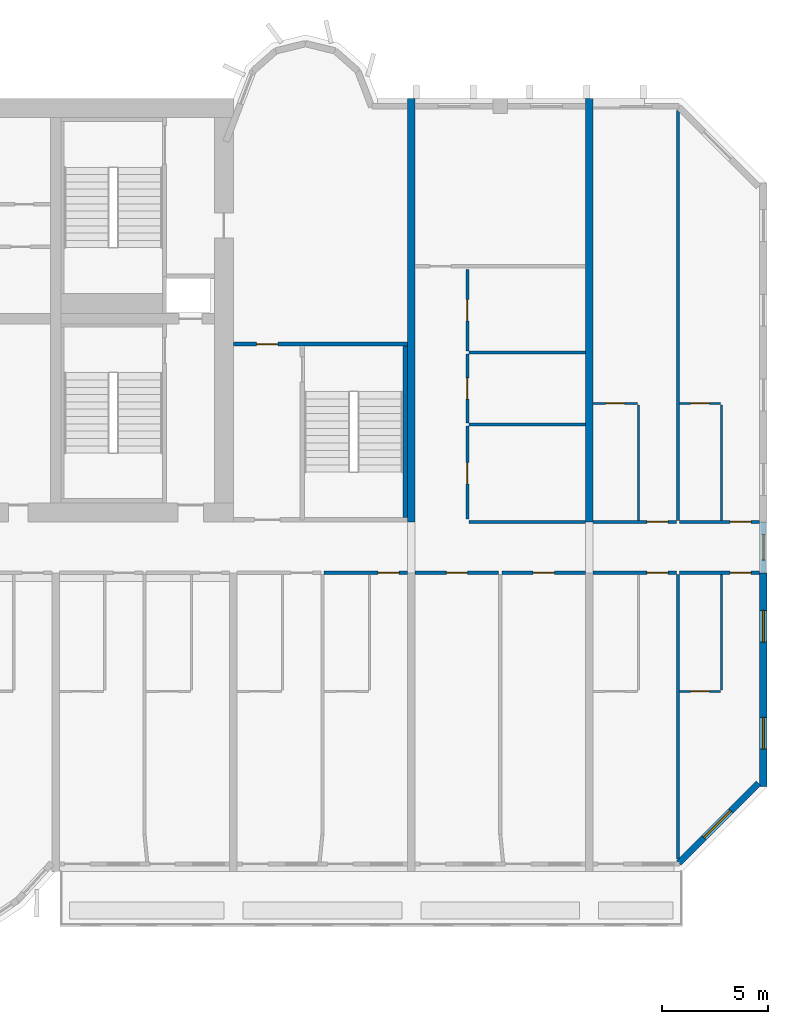
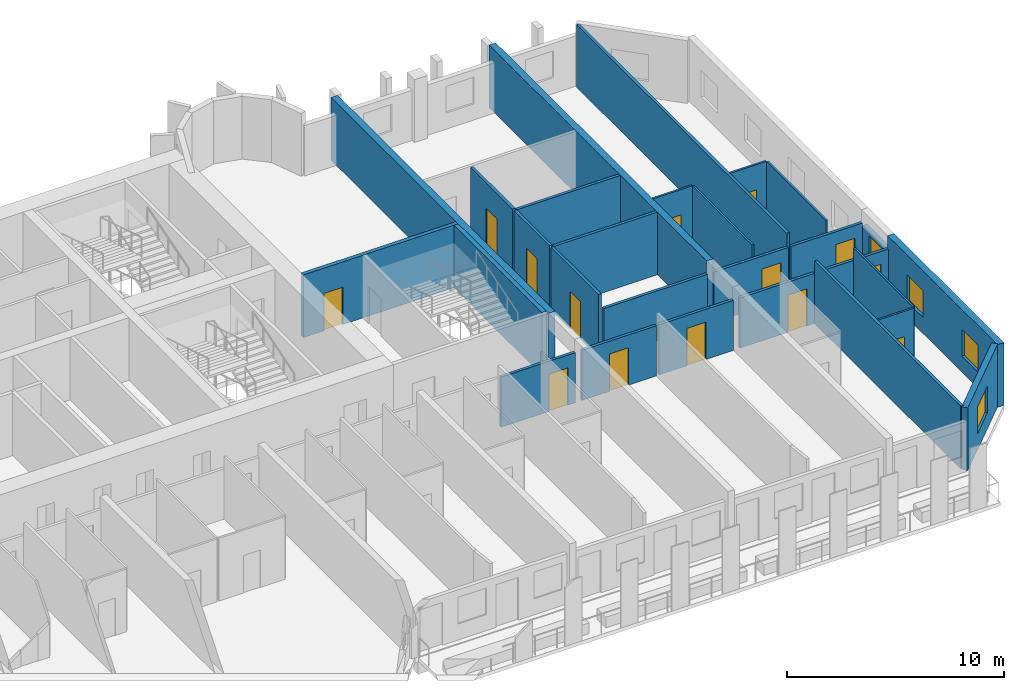
# One storey, part 10 of 15: 28 walls, 14 doors, 4 windows, 18 openings.
"""IFC4 building model written with IfcOpenShell, lengths in metres."""

from ifc_helpers import new_model, si_unit, direction, frame, frame_2d, origin, place, context, subcontext, project, spatial, rectangle, extrude, source, transform, mapped, material, layer, layer_set, type_object, element, fill, save


model = new_model("IFC4")

# Units and contexts
model_context = context("Model", 3, precision=1e-05, world=origin(), true_north=direction((0.0, 1.0)))
body_context = subcontext(model_context, "Body", "Model", "MODEL_VIEW")
ifc_project = project(units=[si_unit("LENGTHUNIT", "METRE"), si_unit("AREAUNIT", "SQUARE_METRE"), si_unit("VOLUMEUNIT", "CUBIC_METRE"), si_unit("PLANEANGLEUNIT", "RADIAN"), si_unit("MASSUNIT", "GRAM", prefix="KILO")], contexts=[model_context])

# Site, building, storey
site_placement = place(None, origin())
site = spatial("IfcSite", under=ifc_project, at=site_placement, CompositionType="ELEMENT")
building_placement = place(site_placement, origin())
building = spatial("IfcBuilding", under=site, at=building_placement, Name="Vanashikhar Sky Hotel", CompositionType="ELEMENT")
storey_placement = place(building_placement, frame((0.0, 0.0, 95.199951171875)))
storey = spatial("IfcBuildingStorey", under=building, at=storey_placement, Name="L22", CompositionType="ELEMENT", Elevation=95.199951171875)

# Wall, openings, windows
ifc_material_1 = material(Name="Concrete M70", Category="concrete")
ifc_layer_1 = layer(ifc_material_1, 0.35009765625)
ifc_layer_set_1 = layer_set([ifc_layer_1], Name="RC shear wall 350 Concrete M70")
wall_type_1 = type_object("IfcWallType", Name="RC shear wall 350 Concrete M70", PredefinedType="SHEAR", material=ifc_layer_set_1)
shared_shape_1 = source(origin(), body_context, "Body", "SweptSolid", [
    extrude(rectangle(XDim=10.10009765625, YDim=0.35009765625, at=frame_2d((5.050048828125, 0.0))), origin(), (0.0, 0.0, 1.0), 3.52001953125),
])
wall_1_placement = place(storey_placement, frame((100.625, 9.5, 0.0), z_axis=(0.0, 0.0, 1.0), x_axis=(0.0, 1.0, 0.0)))
wall_1 = element("IfcWall", 1, at=wall_1_placement, inside=storey, type_object=wall_type_1, Name="CW-L22-XW13-1", PredefinedType="SHEAR", context=body_context, shape_type="MappedRepresentation", body=[
    mapped(shared_shape_1, transform((0.0, 0.0, 0.0), scale=1.0)),
])
shared_shape_2 = source(origin(), body_context, "Body", "SweptSolid", [
    extrude(rectangle(XDim=1.5, YDim=1.5, at=frame_2d((0.75, 0.75))), frame((0.0, 0.18505859375, 0.0), z_axis=(0.0, -1.0, 0.0), x_axis=(1.0, 0.0, 0.0)), (0.0, 0.0, 1.0), 0.3701171875),
])
opening_1_placement = place(wall_1_placement, frame((1.77490234375, 0.0, 0.89990234375)))
opening_1 = element("IfcOpeningElement", 2, at=opening_1_placement, cuts=wall_1, Name="Opening WN-1", PredefinedType="OPENING", context=body_context, shape_type="MappedRepresentation", body=[
    mapped(shared_shape_2, transform((0.0, 0.0, 0.0), scale=1.0)),
])
opening_2_placement = place(wall_1_placement, frame((6.824951171875, 0.0, 0.89990234375)))
opening_2 = element("IfcOpeningElement", 3, at=opening_2_placement, cuts=wall_1, Name="Opening WN-1", PredefinedType="OPENING", context=body_context, shape_type="MappedRepresentation", body=[
    mapped(shared_shape_2, transform((0.0, 0.0, 0.0), scale=1.0)),
])
ifc_material_2 = material(Name="Glass", Category="glass")
window_type_1 = type_object("IfcWindowType", Name="Window 1500 x 1500", PartitioningType="SINGLE_PANEL", PredefinedType="WINDOW", material=ifc_material_2)
shared_shape_3 = source(origin(), body_context, "Body", "SweptSolid", [
    extrude(rectangle(XDim=1.5, YDim=1.5, at=frame_2d((0.75, 0.75))), frame((0.0, 0.030029296875, 0.0), z_axis=(0.0, -1.0, 0.0), x_axis=(1.0, 0.0, 0.0)), (0.0, 0.0, 1.0), 0.06005859375),
])
window_1_placement = place(opening_1_placement, origin())
window_1 = element("IfcWindow", 4, at=window_1_placement, inside=storey, type_object=window_type_1, Name="Window WN-1", OverallHeight=1.5, OverallWidth=1.5, PartitioningType="SINGLE_PANEL", PredefinedType="WINDOW", context=body_context, shape_type="MappedRepresentation", body=[
    mapped(shared_shape_3, transform((0.0, 0.0, 0.0), scale=1.0)),
])
fill(opening_1, window_1)
window_2_placement = place(opening_2_placement, origin())
window_2 = element("IfcWindow", 5, at=window_2_placement, inside=storey, type_object=window_type_1, Name="Window WN-1", OverallHeight=1.5, OverallWidth=1.5, PartitioningType="SINGLE_PANEL", PredefinedType="WINDOW", context=body_context, shape_type="MappedRepresentation", body=[
    mapped(shared_shape_3, transform((0.0, 0.0, 0.0), scale=1.0)),
])
fill(opening_2, window_2)

# Walls
shared_shape_4 = source(origin(), body_context, "Body", "SweptSolid", [
    extrude(rectangle(XDim=20.0, YDim=0.35009765625, at=frame_2d((10.0, 0.0))), origin(), (0.0, 0.0, 1.0), 3.52001953125),
])
for number, where, z_axis, x_axis, name in (
    (6, (84.0, 22.0, 0.0), (0.0, 0.0, 1.0), (0.0, 1.0, 0.0), "CW-L22-XW11-2"),
    (7, (92.39990234375, 22.0, 0.0), (0.0, 0.0, 1.0), (0.0, 1.0, 0.0), "CW-L22-XW12-2"),
):
    element("IfcWall", number, at=place(storey_placement, frame(where, z_axis=z_axis, x_axis=x_axis)), inside=storey, type_object=wall_type_1, Name=name, PredefinedType="SHEAR", context=body_context, shape_type="MappedRepresentation", body=[
        mapped(shared_shape_4, transform((0.0, 0.0, 0.0), scale=1.0)),
    ])

# Wall, opening, window
ifc_material_3 = material(Name="Concrete M50", Category="concrete")
ifc_layer_2 = layer(ifc_material_3, 0.300048828125)
ifc_layer_set_2 = layer_set([ifc_layer_2], Name="Lobe wall 300")
wall_type_2 = type_object("IfcWallType", Name="Lobe wall 300", PredefinedType="SOLIDWALL", material=ifc_layer_set_2)
shared_shape_5 = source(origin(), body_context, "Body", "SweptSolid", [
    extrude(rectangle(XDim=5.32568359375, YDim=0.300048828125, at=frame_2d((2.662841796875, 0.0))), origin(), (0.0, 0.0, 1.0), 3.52001953125),
])
wall_2_placement = place(storey_placement, frame((96.63427734375, 5.89990234375, 0.0), z_axis=(0.0, 0.0, 1.0), x_axis=(0.707083859269, 0.707129702361, 0.0)))
wall_2 = element("IfcWall", 8, at=wall_2_placement, inside=storey, type_object=wall_type_2, Name="Corner wall", PredefinedType="SOLIDWALL", context=body_context, shape_type="MappedRepresentation", body=[
    mapped(shared_shape_5, transform((0.0, 0.0, 0.0), scale=1.0)),
])
shared_shape_6 = source(origin(), body_context, "Body", "SweptSolid", [
    extrude(rectangle(XDim=1.800048828125, YDim=1.5, at=frame_2d((0.89990234375, 0.75))), frame((0.0, 0.16015625, 0.0), z_axis=(0.0, -1.0, 0.0), x_axis=(1.0, 0.0, 0.0)), (0.0, 0.0, 1.0), 0.320068359375),
])
opening_3_placement = place(wall_2_placement, frame((1.671875, 0.0, 0.89990234375)))
opening_3 = element("IfcOpeningElement", 9, at=opening_3_placement, cuts=wall_2, Name="Opening WN-4", PredefinedType="OPENING", context=body_context, shape_type="MappedRepresentation", body=[
    mapped(shared_shape_6, transform((0.0, 0.0, 0.0), scale=1.0)),
])
window_type_2 = type_object("IfcWindowType", Name="Corner window 1800 x 1500", PartitioningType="SINGLE_PANEL", PredefinedType="WINDOW", material=ifc_material_2)
shared_shape_7 = source(origin(), body_context, "Body", "SweptSolid", [
    extrude(rectangle(XDim=1.800048828125, YDim=1.5, at=frame_2d((0.89990234375, 0.75))), frame((0.0, 0.030029296875, 0.0), z_axis=(0.0, -1.0, 0.0), x_axis=(1.0, 0.0, 0.0)), (0.0, 0.0, 1.0), 0.06005859375),
])
window_3_placement = place(opening_3_placement, origin())
window_3 = element("IfcWindow", 10, at=window_3_placement, inside=storey, type_object=window_type_2, Name="Window WN-4", OverallHeight=1.5, OverallWidth=1.800048828125, PartitioningType="SINGLE_PANEL", PredefinedType="WINDOW", context=body_context, shape_type="MappedRepresentation", body=[
    mapped(shared_shape_7, transform((0.0, 0.0, 0.0), scale=1.0)),
])
fill(opening_3, window_3)

ifc_layer_3 = layer(ifc_material_3, 0.25)
ifc_layer_set_3 = layer_set([ifc_layer_3], Name="Rear and end board-marked wall 250")
wall_type_3 = type_object("IfcWallType", Name="Rear and end board-marked wall 250", PredefinedType="SOLIDWALL", material=ifc_layer_set_3)
shared_shape_8 = source(origin(), body_context, "Body", "SweptSolid", [
    extrude(rectangle(XDim=2.39990234375, YDim=0.25, at=frame_2d((1.199951171875, 0.0))), origin(), (0.0, 0.0, 1.0), 2.6201171875),
])
wall_3_placement = place(storey_placement, frame((100.625, 19.60009765625, 0.0), z_axis=(0.0, 0.0, 1.0), x_axis=(0.0, 1.0, 0.0)))
wall_3 = element("IfcWall", 11, at=wall_3_placement, inside=storey, type_object=wall_type_3, Name="End corridor infill wall", PredefinedType="SOLIDWALL", context=body_context, shape_type="MappedRepresentation", body=[
    mapped(shared_shape_8, transform((0.0, 0.0, 0.0), scale=1.0)),
])
shared_shape_9 = source(origin(), body_context, "Body", "SweptSolid", [
    extrude(rectangle(XDim=1.199951171875, YDim=1.5, at=frame_2d((0.60009765625, 0.75))), frame((0.0, 0.135009765625, 0.0), z_axis=(0.0, -1.0, 0.0), x_axis=(1.0, 0.0, 0.0)), (0.0, 0.0, 1.0), 0.27001953125),
])
opening_4_placement = place(wall_3_placement, frame((0.60009765625, 0.0, 0.89990234375)))
opening_4 = element("IfcOpeningElement", 12, at=opening_4_placement, cuts=wall_3, Name="Opening WN-3", PredefinedType="OPENING", context=body_context, shape_type="MappedRepresentation", body=[
    mapped(shared_shape_9, transform((0.0, 0.0, 0.0), scale=1.0)),
])
window_type_3 = type_object("IfcWindowType", Name="Corridor end window 1200 x 1500", PartitioningType="SINGLE_PANEL", PredefinedType="WINDOW", material=ifc_material_2)
shared_shape_10 = source(origin(), body_context, "Body", "SweptSolid", [
    extrude(rectangle(XDim=1.199951171875, YDim=1.5, at=frame_2d((0.60009765625, 0.75))), frame((0.0, 0.030029296875, 0.0), z_axis=(0.0, -1.0, 0.0), x_axis=(1.0, 0.0, 0.0)), (0.0, 0.0, 1.0), 0.06005859375),
])
window_4_placement = place(opening_4_placement, origin())
window_4 = element("IfcWindow", 13, at=window_4_placement, inside=storey, type_object=window_type_3, Name="Window WN-3", OverallHeight=1.5, OverallWidth=1.199951171875, PartitioningType="SINGLE_PANEL", PredefinedType="WINDOW", context=body_context, shape_type="MappedRepresentation", body=[
    mapped(shared_shape_10, transform((0.0, 0.0, 0.0), scale=1.0)),
])
fill(opening_4, window_4)

# Wall, opening, door
ifc_layer_4 = layer(ifc_material_3, 0.199951171875)
ifc_layer_set_4 = layer_set([ifc_layer_4], Name="Stair wall 200")
wall_type_4 = type_object("IfcWallType", Name="Stair wall 200", PredefinedType="SOLIDWALL", material=ifc_layer_set_4)
shared_shape_11 = source(origin(), body_context, "Body", "SweptSolid", [
    extrude(rectangle(XDim=8.224853515625, YDim=0.199951171875, at=frame_2d((4.1123046875, 0.0))), origin(), (0.0, 0.0, 1.0), 3.52001953125),
])
wall_4_placement = place(storey_placement, frame((83.824951171875, 30.39990234375, 0.0), z_axis=(0.0, 0.0, 1.0), x_axis=(-1.0, 0.0, 0.0)))
wall_4 = element("IfcWall", 14, at=wall_4_placement, inside=storey, type_object=wall_type_4, Name="Stair wall 200", PredefinedType="SOLIDWALL", context=body_context, shape_type="MappedRepresentation", body=[
    mapped(shared_shape_11, transform((0.0, 0.0, 0.0), scale=1.0)),
])
shared_shape_12 = source(origin(), body_context, "Body", "SweptSolid", [
    extrude(rectangle(XDim=1.0, YDim=2.10009765625, at=frame_2d((0.5, 1.050048828125))), frame((0.0, 0.10986328125, 0.0), z_axis=(0.0, -1.0, 0.0), x_axis=(1.0, 0.0, 0.0)), (0.0, 0.0, 1.0), 0.219970703125),
])
opening_5_placement = place(wall_4_placement, frame((6.125, 0.0, 0.0)))
opening_5 = element("IfcOpeningElement", 15, at=opening_5_placement, cuts=wall_4, Name="Opening DC-6", PredefinedType="OPENING", context=body_context, shape_type="MappedRepresentation", body=[
    mapped(shared_shape_12, transform((0.0, 0.0, 0.0), scale=1.0)),
])
ifc_material_4 = material(Name="Steel", Category="steel")
door_type_1 = type_object("IfcDoorType", Name="Pocket door 1000 FD60", OperationType="NOTDEFINED", PredefinedType="DOOR", material=ifc_material_4)
shared_shape_13 = source(origin(), body_context, "Body", "SweptSolid", [
    extrude(rectangle(XDim=1.0, YDim=2.10009765625, at=frame_2d((0.5, 1.050048828125))), frame((0.0, 0.02490234375, 0.0), z_axis=(0.0, -1.0, 0.0), x_axis=(1.0, 0.0, 0.0)), (0.0, 0.0, 1.0), 0.050048828125),
])
door_1_placement = place(opening_5_placement, origin())
door_1 = element("IfcDoor", 16, at=door_1_placement, inside=storey, type_object=door_type_1, Name="Pocket door 1000 FD60", OperationType="SINGLE_SWING_RIGHT", OverallHeight=2.10009765625, OverallWidth=1.0, PredefinedType="DOOR", context=body_context, shape_type="MappedRepresentation", body=[
    mapped(shared_shape_13, transform((0.0, 0.0, 0.0), scale=1.0)),
])
fill(opening_5, door_1)

# Wall
ifc_layer_5 = layer(ifc_material_3, 0.22509765625)
ifc_layer_set_5 = layer_set([ifc_layer_5], Name="Stair infill wall 225")
wall_type_5 = type_object("IfcWallType", Name="Stair infill wall 225", PredefinedType="SOLIDWALL", material=ifc_layer_set_5)
shared_shape_14 = source(origin(), body_context, "Body", "SweptSolid", [
    extrude(rectangle(XDim=8.10009765625, YDim=0.22509765625, at=frame_2d((4.050048828125, 0.0))), origin(), (0.0, 0.0, 1.0), 3.52001953125),
])
wall_5_placement = place(storey_placement, frame((83.712890625, 22.199951171875, 0.0), z_axis=(0.0, 0.0, 1.0), x_axis=(0.0, 1.0, 0.0)))
element("IfcWall", 17, at=wall_5_placement, inside=storey, type_object=wall_type_5, Name="Stair infill wall 225", PredefinedType="SOLIDWALL", context=body_context, shape_type="MappedRepresentation", body=[
    mapped(shared_shape_14, transform((0.0, 0.0, 0.0), scale=1.0)),
])

# Wall, opening, door
ifc_material_5 = material(Name="Gypsum plasterboard partition")
ifc_layer_6 = layer(ifc_material_5, 0.14990234375)
ifc_layer_set_6 = layer_set([ifc_layer_6], Name="Corridor and demising partition 150")
wall_type_6 = type_object("IfcWallType", Name="Corridor and demising partition 150", PredefinedType="PARTITIONING", material=ifc_layer_set_6)
shared_shape_15 = source(origin(), body_context, "Body", "SweptSolid", [
    extrude(rectangle(XDim=4.375, YDim=0.14990234375, at=frame_2d((2.1875, 0.0))), origin(), (0.0, 0.0, 1.0), 3.52001953125),
])
wall_6_placement = place(storey_placement, frame((86.64990234375, 22.14990234375, 0.0), z_axis=(0.0, 0.0, 1.0), x_axis=(0.0, 1.0, 0.0)))
wall_6 = element("IfcWall", 18, at=wall_6_placement, inside=storey, type_object=wall_type_6, Name="W-L22-PW088", PredefinedType="PARTITIONING", context=body_context, shape_type="MappedRepresentation", body=[
    mapped(shared_shape_15, transform((0.0, 0.0, 0.0), scale=1.0)),
])
shared_shape_16 = source(origin(), body_context, "Body", "SweptSolid", [
    extrude(rectangle(XDim=1.0, YDim=2.10009765625, at=frame_2d((0.5, 1.050048828125))), frame((0.0, 0.0849609375, 0.0), z_axis=(0.0, -1.0, 0.0), x_axis=(1.0, 0.0, 0.0)), (0.0, 0.0, 1.0), 0.169921875),
])
opening_6_placement = place(wall_6_placement, frame((1.64990234375, 0.0, 0.0)))
opening_6 = element("IfcOpeningElement", 19, at=opening_6_placement, cuts=wall_6, Name="Opening D-01", PredefinedType="OPENING", context=body_context, shape_type="MappedRepresentation", body=[
    mapped(shared_shape_16, transform((0.0, 0.0, 0.0), scale=1.0)),
])
ifc_material_6 = material(Name="Timber fire door", Category="wood")
door_type_2 = type_object("IfcDoorType", Name="Guest entry door 1000 FD30S", OperationType="NOTDEFINED", PredefinedType="DOOR", material=ifc_material_6)
door_2_placement = place(opening_6_placement, origin())
door_2 = element("IfcDoor", 20, at=door_2_placement, inside=storey, type_object=door_type_2, Name="D-L22-050", OperationType="SINGLE_SWING_LEFT", OverallHeight=2.10009765625, OverallWidth=1.0, PredefinedType="DOOR", context=body_context, shape_type="MappedRepresentation", body=[
    mapped(shared_shape_13, transform((0.0, 0.0, 0.0), scale=1.0)),
])
fill(opening_6, door_2)

shared_shape_17 = source(origin(), body_context, "Body", "SweptSolid", [
    extrude(rectangle(XDim=3.25, YDim=0.14990234375, at=frame_2d((1.625, 0.0))), origin(), (0.0, 0.0, 1.0), 3.52001953125),
])
wall_7_placement = place(storey_placement, frame((86.64990234375, 26.675048828125, 0.0), z_axis=(0.0, 0.0, 1.0), x_axis=(0.0, 1.0, 0.0)))
wall_7 = element("IfcWall", 21, at=wall_7_placement, inside=storey, type_object=wall_type_6, Name="W-L22-PW090", PredefinedType="PARTITIONING", context=body_context, shape_type="MappedRepresentation", body=[
    mapped(shared_shape_17, transform((0.0, 0.0, 0.0), scale=1.0)),
])
opening_7_placement = place(wall_7_placement, frame((1.125, 0.0, 0.0)))
opening_7 = element("IfcOpeningElement", 22, at=opening_7_placement, cuts=wall_7, Name="Opening D-01", PredefinedType="OPENING", context=body_context, shape_type="MappedRepresentation", body=[
    mapped(shared_shape_16, transform((0.0, 0.0, 0.0), scale=1.0)),
])
door_3_placement = place(opening_7_placement, origin())
door_3 = element("IfcDoor", 23, at=door_3_placement, inside=storey, type_object=door_type_2, Name="D-L22-051", OperationType="SINGLE_SWING_LEFT", OverallHeight=2.10009765625, OverallWidth=1.0, PredefinedType="DOOR", context=body_context, shape_type="MappedRepresentation", body=[
    mapped(shared_shape_13, transform((0.0, 0.0, 0.0), scale=1.0)),
])
fill(opening_7, door_3)

shared_shape_18 = source(origin(), body_context, "Body", "SweptSolid", [
    extrude(rectangle(XDim=3.85009765625, YDim=0.14990234375, at=frame_2d((1.925048828125, 0.0))), origin(), (0.0, 0.0, 1.0), 3.52001953125),
])
wall_8_placement = place(storey_placement, frame((86.64990234375, 30.074951171875, 0.0), z_axis=(0.0, 0.0, 1.0), x_axis=(0.0, 1.0, 0.0)))
wall_8 = element("IfcWall", 24, at=wall_8_placement, inside=storey, type_object=wall_type_6, Name="W-L22-PW092", PredefinedType="PARTITIONING", context=body_context, shape_type="MappedRepresentation", body=[
    mapped(shared_shape_18, transform((0.0, 0.0, 0.0), scale=1.0)),
])
opening_8_placement = place(wall_8_placement, frame((1.425048828125, 0.0, 0.0)))
opening_8 = element("IfcOpeningElement", 25, at=opening_8_placement, cuts=wall_8, Name="Opening D-01", PredefinedType="OPENING", context=body_context, shape_type="MappedRepresentation", body=[
    mapped(shared_shape_16, transform((0.0, 0.0, 0.0), scale=1.0)),
])
door_4_placement = place(opening_8_placement, origin())
door_4 = element("IfcDoor", 26, at=door_4_placement, inside=storey, type_object=door_type_2, Name="D-L22-052", OperationType="SINGLE_SWING_LEFT", OverallHeight=2.10009765625, OverallWidth=1.0, PredefinedType="DOOR", context=body_context, shape_type="MappedRepresentation", body=[
    mapped(shared_shape_13, transform((0.0, 0.0, 0.0), scale=1.0)),
])
fill(opening_8, door_4)

# Walls
shared_shape_19 = source(origin(), body_context, "Body", "SweptSolid", [
    extrude(rectangle(XDim=19.34716796875, YDim=0.14990234375, at=frame_2d((9.673583984375, 0.0))), origin(), (0.0, 0.0, 1.0), 3.52001953125),
])
wall_9_placement = place(storey_placement, frame((96.60009765625, 22.074951171875, 0.0), z_axis=(0.0, 0.0, 1.0), x_axis=(0.0, 1.0, 0.0)))
element("IfcWall", 27, at=wall_9_placement, inside=storey, type_object=wall_type_6, Name="W-L22-PW100", PredefinedType="PARTITIONING", context=body_context, shape_type="MappedRepresentation", body=[
    mapped(shared_shape_19, transform((0.0, 0.0, 0.0), scale=1.0)),
])
ifc_layer_7 = layer(ifc_material_5, 0.10009765625)
ifc_layer_set_7 = layer_set([ifc_layer_7], Name="Wet room partition 100")
wall_type_7 = type_object("IfcWallType", Name="Wet room partition 100", PredefinedType="PARTITIONING", material=ifc_layer_set_7)
shared_shape_20 = source(origin(), body_context, "Body", "SweptSolid", [
    extrude(rectangle(XDim=5.449951171875, YDim=0.10009765625, at=frame_2d((2.72509765625, 0.0))), origin(), (0.0, 0.0, 1.0), 3.52001953125),
])
for number, where, z_axis, x_axis, name in (
    (28, (98.64990234375, 14.074951171875, 0.0), (0.0, 0.0, 1.0), (0.0, 1.0, 0.0), "W-L22-PW067"),
    (29, (94.72509765625, 22.074951171875, 0.0), (0.0, 0.0, 1.0), (0.0, 1.0, 0.0), "W-L22-PW094"),
    (30, (98.64990234375, 22.074951171875, 0.0), (0.0, 0.0, 1.0), (0.0, 1.0, 0.0), "W-L22-PW097"),
):
    element("IfcWall", number, at=place(storey_placement, frame(where, z_axis=z_axis, x_axis=x_axis)), inside=storey, type_object=wall_type_7, Name=name, PredefinedType="PARTITIONING", context=body_context, shape_type="MappedRepresentation", body=[
        mapped(shared_shape_20, transform((0.0, 0.0, 0.0), scale=1.0)),
    ])

# Wall, opening, door
shared_shape_21 = source(origin(), body_context, "Body", "SweptSolid", [
    extrude(rectangle(XDim=1.925048828125, YDim=0.10009765625, at=frame_2d((0.96240234375, 0.0))), origin(), (0.0, 0.0, 1.0), 3.52001953125),
])
wall_10_placement = place(storey_placement, frame((96.675048828125, 14.0, 0.0), z_axis=(0.0, 0.0, 1.0), x_axis=(1.0, 0.0, 0.0)))
wall_10 = element("IfcWall", 31, at=wall_10_placement, inside=storey, type_object=wall_type_7, Name="W-L22-PW068", PredefinedType="PARTITIONING", context=body_context, shape_type="MappedRepresentation", body=[
    mapped(shared_shape_21, transform((0.0, 0.0, 0.0), scale=1.0)),
])
shared_shape_22 = source(origin(), body_context, "Body", "SweptSolid", [
    extrude(rectangle(XDim=0.89990234375, YDim=2.10009765625, at=frame_2d((0.449951171875, 1.050048828125))), frame((0.0, 0.06005859375, 0.0), z_axis=(0.0, -1.0, 0.0), x_axis=(1.0, 0.0, 0.0)), (0.0, 0.0, 1.0), 0.1201171875),
])
opening_9_placement = place(wall_10_placement, frame((0.512939453125, 0.0, 0.0)))
opening_9 = element("IfcOpeningElement", 32, at=opening_9_placement, cuts=wall_10, Name="Opening D-02", PredefinedType="OPENING", context=body_context, shape_type="MappedRepresentation", body=[
    mapped(shared_shape_22, transform((0.0, 0.0, 0.0), scale=1.0)),
])
ifc_material_7 = material(Name="Timber door", Category="wood")
door_type_3 = type_object("IfcDoorType", Name="Internal door 900", OperationType="NOTDEFINED", PredefinedType="DOOR", material=ifc_material_7)
shared_shape_23 = source(origin(), body_context, "Body", "SweptSolid", [
    extrude(rectangle(XDim=0.89990234375, YDim=2.10009765625, at=frame_2d((0.449951171875, 1.050048828125))), frame((0.0, 0.02490234375, 0.0), z_axis=(0.0, -1.0, 0.0), x_axis=(1.0, 0.0, 0.0)), (0.0, 0.0, 1.0), 0.050048828125),
])
door_5_placement = place(opening_9_placement, origin())
door_5 = element("IfcDoor", 33, at=door_5_placement, inside=storey, type_object=door_type_3, Name="D-L22-040", OperationType="SINGLE_SWING_RIGHT", OverallHeight=2.10009765625, OverallWidth=0.89990234375, PredefinedType="DOOR", context=body_context, shape_type="MappedRepresentation", body=[
    mapped(shared_shape_23, transform((0.0, 0.0, 0.0), scale=1.0)),
])
fill(opening_9, door_5)

wall_11_placement = place(storey_placement, frame((96.675048828125, 27.60009765625, 0.0), z_axis=(0.0, 0.0, 1.0), x_axis=(1.0, 0.0, 0.0)))
wall_11 = element("IfcWall", 34, at=wall_11_placement, inside=storey, type_object=wall_type_7, Name="W-L22-PW098", PredefinedType="PARTITIONING", context=body_context, shape_type="MappedRepresentation", body=[
    mapped(shared_shape_21, transform((0.0, 0.0, 0.0), scale=1.0)),
])
opening_10_placement = place(wall_11_placement, frame((0.512939453125, 0.0, 0.0)))
opening_10 = element("IfcOpeningElement", 35, at=opening_10_placement, cuts=wall_11, Name="Opening D-02", PredefinedType="OPENING", context=body_context, shape_type="MappedRepresentation", body=[
    mapped(shared_shape_22, transform((0.0, 0.0, 0.0), scale=1.0)),
])
door_6_placement = place(opening_10_placement, origin())
door_6 = element("IfcDoor", 36, at=door_6_placement, inside=storey, type_object=door_type_3, Name="D-L22-056", OperationType="SINGLE_SWING_RIGHT", OverallHeight=2.10009765625, OverallWidth=0.89990234375, PredefinedType="DOOR", context=body_context, shape_type="MappedRepresentation", body=[
    mapped(shared_shape_23, transform((0.0, 0.0, 0.0), scale=1.0)),
])
fill(opening_10, door_6)

shared_shape_24 = source(origin(), body_context, "Body", "SweptSolid", [
    extrude(rectangle(XDim=3.77490234375, YDim=0.14990234375, at=frame_2d((1.887451171875, 0.0))), origin(), (0.0, 0.0, 1.0), 2.820068359375),
])
wall_12_placement = place(storey_placement, frame((96.675048828125, 19.60009765625, 0.0), z_axis=(0.0, 0.0, 1.0), x_axis=(1.0, 0.0, 0.0)))
wall_12 = element("IfcWall", 37, at=wall_12_placement, inside=storey, type_object=wall_type_6, Name="W-L22-PW069", PredefinedType="PARTITIONING", context=body_context, shape_type="MappedRepresentation", body=[
    mapped(shared_shape_24, transform((0.0, 0.0, 0.0), scale=1.0)),
])
opening_11_placement = place(wall_12_placement, frame((2.375, 0.0, 0.0)))
opening_11 = element("IfcOpeningElement", 38, at=opening_11_placement, cuts=wall_12, Name="Opening D-01", PredefinedType="OPENING", context=body_context, shape_type="MappedRepresentation", body=[
    mapped(shared_shape_16, transform((0.0, 0.0, 0.0), scale=1.0)),
])
door_7_placement = place(opening_11_placement, origin())
door_7 = element("IfcDoor", 39, at=door_7_placement, inside=storey, type_object=door_type_2, Name="D-L22-041", OperationType="SINGLE_SWING_RIGHT", OverallHeight=2.10009765625, OverallWidth=1.0, PredefinedType="DOOR", context=body_context, shape_type="MappedRepresentation", body=[
    mapped(shared_shape_13, transform((0.0, 0.0, 0.0), scale=1.0)),
])
fill(opening_11, door_7)

wall_13_placement = place(storey_placement, frame((96.675048828125, 22.0, 0.0), z_axis=(0.0, 0.0, 1.0), x_axis=(1.0, 0.0, 0.0)))
wall_13 = element("IfcWall", 40, at=wall_13_placement, inside=storey, type_object=wall_type_6, Name="W-L22-PW099", PredefinedType="PARTITIONING", context=body_context, shape_type="MappedRepresentation", body=[
    mapped(shared_shape_24, transform((0.0, 0.0, 0.0), scale=1.0)),
])
opening_12_placement = place(wall_13_placement, frame((2.375, 0.0, 0.0)))
opening_12 = element("IfcOpeningElement", 41, at=opening_12_placement, cuts=wall_13, Name="Opening D-01", PredefinedType="OPENING", context=body_context, shape_type="MappedRepresentation", body=[
    mapped(shared_shape_16, transform((0.0, 0.0, 0.0), scale=1.0)),
])
door_8_placement = place(opening_12_placement, origin())
door_8 = element("IfcDoor", 42, at=door_8_placement, inside=storey, type_object=door_type_2, Name="D-L22-057", OperationType="SINGLE_SWING_RIGHT", OverallHeight=2.10009765625, OverallWidth=1.0, PredefinedType="DOOR", context=body_context, shape_type="MappedRepresentation", body=[
    mapped(shared_shape_13, transform((0.0, 0.0, 0.0), scale=1.0)),
])
fill(opening_12, door_8)

shared_shape_25 = source(origin(), body_context, "Body", "SweptSolid", [
    extrude(rectangle(XDim=2.10009765625, YDim=0.10009765625, at=frame_2d((1.050048828125, 0.0))), origin(), (0.0, 0.0, 1.0), 3.52001953125),
])
wall_14_placement = place(storey_placement, frame((92.574951171875, 27.60009765625, 0.0), z_axis=(0.0, 0.0, 1.0), x_axis=(1.0, 0.0, 0.0)))
wall_14 = element("IfcWall", 43, at=wall_14_placement, inside=storey, type_object=wall_type_7, Name="W-L22-PW095", PredefinedType="PARTITIONING", context=body_context, shape_type="MappedRepresentation", body=[
    mapped(shared_shape_25, transform((0.0, 0.0, 0.0), scale=1.0)),
])
opening_13_placement = place(wall_14_placement, frame((0.60009765625, 0.0, 0.0)))
opening_13 = element("IfcOpeningElement", 44, at=opening_13_placement, cuts=wall_14, Name="Opening D-02", PredefinedType="OPENING", context=body_context, shape_type="MappedRepresentation", body=[
    mapped(shared_shape_22, transform((0.0, 0.0, 0.0), scale=1.0)),
])
door_9_placement = place(opening_13_placement, origin())
door_9 = element("IfcDoor", 45, at=door_9_placement, inside=storey, type_object=door_type_3, Name="D-L22-054", OperationType="SINGLE_SWING_RIGHT", OverallHeight=2.10009765625, OverallWidth=0.89990234375, PredefinedType="DOOR", context=body_context, shape_type="MappedRepresentation", body=[
    mapped(shared_shape_23, transform((0.0, 0.0, 0.0), scale=1.0)),
])
fill(opening_13, door_9)

shared_shape_26 = source(origin(), body_context, "Body", "SweptSolid", [
    extrude(rectangle(XDim=3.9501953125, YDim=0.14990234375, at=frame_2d((1.97509765625, 0.0))), origin(), (0.0, 0.0, 1.0), 2.820068359375),
])
wall_15_placement = place(storey_placement, frame((88.27490234375, 19.60009765625, 0.0), z_axis=(0.0, 0.0, 1.0), x_axis=(1.0, 0.0, 0.0)))
wall_15 = element("IfcWall", 46, at=wall_15_placement, inside=storey, type_object=wall_type_6, Name="W-L22-PW062", PredefinedType="PARTITIONING", context=body_context, shape_type="MappedRepresentation", body=[
    mapped(shared_shape_26, transform((0.0, 0.0, 0.0), scale=1.0)),
])
opening_14_placement = place(wall_15_placement, frame((1.47509765625, 0.0, 0.0)))
opening_14 = element("IfcOpeningElement", 47, at=opening_14_placement, cuts=wall_15, Name="Opening D-01", PredefinedType="OPENING", context=body_context, shape_type="MappedRepresentation", body=[
    mapped(shared_shape_16, transform((0.0, 0.0, 0.0), scale=1.0)),
])
door_10_placement = place(opening_14_placement, origin())
door_10 = element("IfcDoor", 48, at=door_10_placement, inside=storey, type_object=door_type_2, Name="D-L22-037", OperationType="SINGLE_SWING_RIGHT", OverallHeight=2.10009765625, OverallWidth=1.0, PredefinedType="DOOR", context=body_context, shape_type="MappedRepresentation", body=[
    mapped(shared_shape_13, transform((0.0, 0.0, 0.0), scale=1.0)),
])
fill(opening_14, door_10)

# Wall
shared_shape_27 = source(origin(), body_context, "Body", "SweptSolid", [
    extrude(rectangle(XDim=13.447021484375, YDim=0.14990234375, at=frame_2d((6.7236328125, 0.0))), origin(), (0.0, 0.0, 1.0), 3.52001953125),
])
wall_16_placement = place(storey_placement, frame((96.60009765625, 6.077880859375, 0.0), z_axis=(0.0, 0.0, 1.0), x_axis=(0.0, 1.0, 0.0)))
element("IfcWall", 49, at=wall_16_placement, inside=storey, type_object=wall_type_6, Name="W-L22-PW070", PredefinedType="PARTITIONING", context=body_context, shape_type="MappedRepresentation", body=[
    mapped(shared_shape_27, transform((0.0, 0.0, 0.0), scale=1.0)),
])

# Wall, opening, door
shared_shape_28 = source(origin(), body_context, "Body", "SweptSolid", [
    extrude(rectangle(XDim=3.949951171875, YDim=0.14990234375, at=frame_2d((1.97509765625, 0.0))), origin(), (0.0, 0.0, 1.0), 2.820068359375),
])
wall_17_placement = place(storey_placement, frame((79.875, 19.60009765625, 0.0), z_axis=(0.0, 0.0, 1.0), x_axis=(1.0, 0.0, 0.0)))
wall_17 = element("IfcWall", 50, at=wall_17_placement, inside=storey, type_object=wall_type_6, Name="W-L22-PW059", PredefinedType="PARTITIONING", context=body_context, shape_type="MappedRepresentation", body=[
    mapped(shared_shape_28, transform((0.0, 0.0, 0.0), scale=1.0)),
])
opening_15_placement = place(wall_17_placement, frame((2.550048828125, 0.0, 0.0)))
opening_15 = element("IfcOpeningElement", 51, at=opening_15_placement, cuts=wall_17, Name="Opening D-01", PredefinedType="OPENING", context=body_context, shape_type="MappedRepresentation", body=[
    mapped(shared_shape_16, transform((0.0, 0.0, 0.0), scale=1.0)),
])
door_11_placement = place(opening_15_placement, origin())
door_11 = element("IfcDoor", 52, at=door_11_placement, inside=storey, type_object=door_type_2, Name="D-L22-035", OperationType="SINGLE_SWING_RIGHT", OverallHeight=2.10009765625, OverallWidth=1.0, PredefinedType="DOOR", context=body_context, shape_type="MappedRepresentation", body=[
    mapped(shared_shape_13, transform((0.0, 0.0, 0.0), scale=1.0)),
])
fill(opening_15, door_11)

wall_18_placement = place(storey_placement, frame((84.175048828125, 19.60009765625, 0.0), z_axis=(0.0, 0.0, 1.0), x_axis=(1.0, 0.0, 0.0)))
wall_18 = element("IfcWall", 53, at=wall_18_placement, inside=storey, type_object=wall_type_6, Name="W-L22-PW061", PredefinedType="PARTITIONING", context=body_context, shape_type="MappedRepresentation", body=[
    mapped(shared_shape_28, transform((0.0, 0.0, 0.0), scale=1.0)),
])
opening_16_placement = place(wall_18_placement, frame((1.47509765625, 0.0, 0.0)))
opening_16 = element("IfcOpeningElement", 54, at=opening_16_placement, cuts=wall_18, Name="Opening D-01", PredefinedType="OPENING", context=body_context, shape_type="MappedRepresentation", body=[
    mapped(shared_shape_16, transform((0.0, 0.0, 0.0), scale=1.0)),
])
door_12_placement = place(opening_16_placement, origin())
door_12 = element("IfcDoor", 55, at=door_12_placement, inside=storey, type_object=door_type_2, Name="D-L22-036", OperationType="SINGLE_SWING_LEFT", OverallHeight=2.10009765625, OverallWidth=1.0, PredefinedType="DOOR", context=body_context, shape_type="MappedRepresentation", body=[
    mapped(shared_shape_13, transform((0.0, 0.0, 0.0), scale=1.0)),
])
fill(opening_16, door_12)

wall_19_placement = place(storey_placement, frame((92.574951171875, 19.60009765625, 0.0), z_axis=(0.0, 0.0, 1.0), x_axis=(1.0, 0.0, 0.0)))
wall_19 = element("IfcWall", 56, at=wall_19_placement, inside=storey, type_object=wall_type_6, Name="W-L22-PW066", PredefinedType="PARTITIONING", context=body_context, shape_type="MappedRepresentation", body=[
    mapped(shared_shape_28, transform((0.0, 0.0, 0.0), scale=1.0)),
])
opening_17_placement = place(wall_19_placement, frame((2.550048828125, 0.0, 0.0)))
opening_17 = element("IfcOpeningElement", 57, at=opening_17_placement, cuts=wall_19, Name="Opening D-01", PredefinedType="OPENING", context=body_context, shape_type="MappedRepresentation", body=[
    mapped(shared_shape_16, transform((0.0, 0.0, 0.0), scale=1.0)),
])
door_13_placement = place(opening_17_placement, origin())
door_13 = element("IfcDoor", 58, at=door_13_placement, inside=storey, type_object=door_type_2, Name="D-L22-039", OperationType="SINGLE_SWING_RIGHT", OverallHeight=2.10009765625, OverallWidth=1.0, PredefinedType="DOOR", context=body_context, shape_type="MappedRepresentation", body=[
    mapped(shared_shape_13, transform((0.0, 0.0, 0.0), scale=1.0)),
])
fill(opening_17, door_13)

wall_20_placement = place(storey_placement, frame((92.574951171875, 22.0, 0.0), z_axis=(0.0, 0.0, 1.0), x_axis=(1.0, 0.0, 0.0)))
wall_20 = element("IfcWall", 59, at=wall_20_placement, inside=storey, type_object=wall_type_6, Name="W-L22-PW096", PredefinedType="PARTITIONING", context=body_context, shape_type="MappedRepresentation", body=[
    mapped(shared_shape_28, transform((0.0, 0.0, 0.0), scale=1.0)),
])
opening_18_placement = place(wall_20_placement, frame((2.550048828125, 0.0, 0.0)))
opening_18 = element("IfcOpeningElement", 60, at=opening_18_placement, cuts=wall_20, Name="Opening D-01", PredefinedType="OPENING", context=body_context, shape_type="MappedRepresentation", body=[
    mapped(shared_shape_16, transform((0.0, 0.0, 0.0), scale=1.0)),
])
door_14_placement = place(opening_18_placement, origin())
door_14 = element("IfcDoor", 61, at=door_14_placement, inside=storey, type_object=door_type_2, Name="D-L22-055", OperationType="SINGLE_SWING_RIGHT", OverallHeight=2.10009765625, OverallWidth=1.0, PredefinedType="DOOR", context=body_context, shape_type="MappedRepresentation", body=[
    mapped(shared_shape_13, transform((0.0, 0.0, 0.0), scale=1.0)),
])
fill(opening_18, door_14)

# Walls
shared_shape_29 = source(origin(), body_context, "Body", "SweptSolid", [
    extrude(rectangle(XDim=5.5, YDim=0.14990234375, at=frame_2d((2.75, 0.0))), origin(), (0.0, 0.0, 1.0), 2.820068359375),
])
wall_21_placement = place(storey_placement, frame((86.72509765625, 22.0, 0.0), z_axis=(0.0, 0.0, 1.0), x_axis=(1.0, 0.0, 0.0)))
element("IfcWall", 62, at=wall_21_placement, inside=storey, type_object=wall_type_6, Name="W-L22-PW087", PredefinedType="PARTITIONING", context=body_context, shape_type="MappedRepresentation", body=[
    mapped(shared_shape_29, transform((0.0, 0.0, 0.0), scale=1.0)),
])
shared_shape_30 = source(origin(), body_context, "Body", "SweptSolid", [
    extrude(rectangle(XDim=5.5, YDim=0.14990234375, at=frame_2d((2.75, 0.0))), origin(), (0.0, 0.0, 1.0), 3.52001953125),
])
for number, where, z_axis, x_axis, name in (
    (63, (86.72509765625, 26.60009765625, 0.0), (0.0, 0.0, 1.0), (1.0, 0.0, 0.0), "W-L22-PW089"),
    (64, (86.72509765625, 30.0, 0.0), (0.0, 0.0, 1.0), (1.0, 0.0, 0.0), "W-L22-PW091"),
):
    element("IfcWall", number, at=place(storey_placement, frame(where, z_axis=z_axis, x_axis=x_axis)), inside=storey, type_object=wall_type_6, Name=name, PredefinedType="PARTITIONING", context=body_context, shape_type="MappedRepresentation", body=[
        mapped(shared_shape_30, transform((0.0, 0.0, 0.0), scale=1.0)),
    ])

save(model, "model.ifc")
